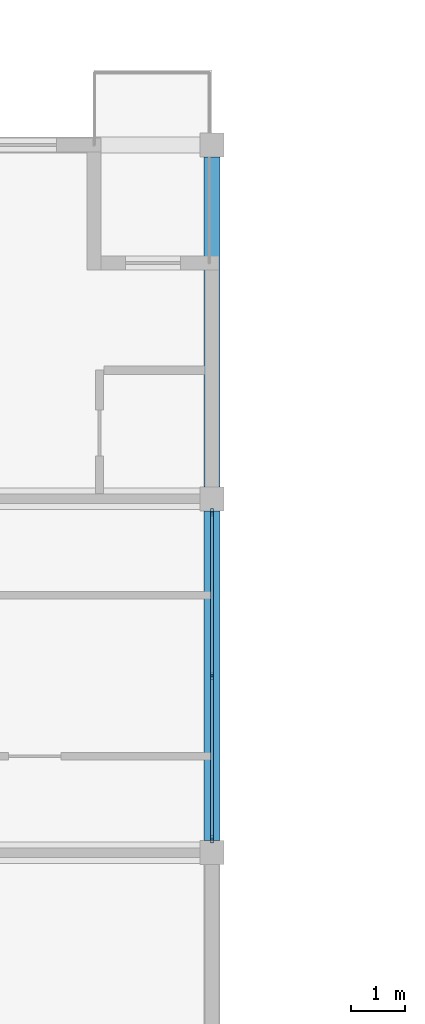
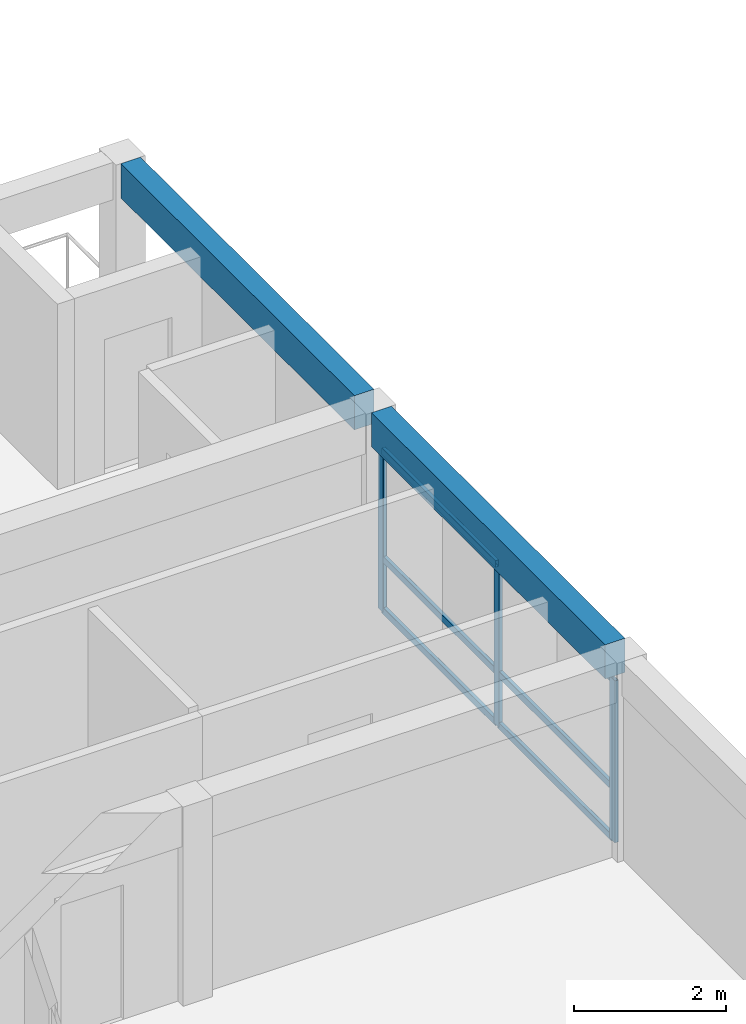
# One storey, part 12 of 34: 9 members, 2 beams, 1 element without a shape of its own.
"""IFC4 building model written with IfcOpenShell, lengths in metres."""

from ifc_helpers import new_model, si_unit, direction, frame, origin, origin_2d, place, context, subcontext, project, spatial, rectangle, hollow_rectangle, extrude, material, material_profile, profile_set, type_object, element, aggregate, save


model = new_model("IFC4")

# Units and contexts
model_context = context("Model", 3, precision=1e-05, world=origin(), true_north=direction((0.0, 1.0)))
body_context = subcontext(model_context, "Body", "Model", "MODEL_VIEW")
ifc_project = project(units=[si_unit("LENGTHUNIT", "METRE"), si_unit("AREAUNIT", "SQUARE_METRE"), si_unit("VOLUMEUNIT", "CUBIC_METRE"), si_unit("PLANEANGLEUNIT", "RADIAN"), si_unit("MASSUNIT", "GRAM", prefix="KILO")], contexts=[model_context])

# Site, building, storey
site_placement = place(None, origin())
site = spatial("IfcSite", under=ifc_project, at=site_placement, CompositionType="ELEMENT")
building_placement = place(site_placement, origin())
building = spatial("IfcBuilding", under=site, at=building_placement, Name="Kernevlak Ridge Housing Community", CompositionType="ELEMENT")
storey_placement = place(building_placement, frame((0.0, 0.0, 40.39990234375)))
storey = spatial("IfcBuildingStorey", under=building, at=storey_placement, Name="L12", CompositionType="ELEMENT", Elevation=40.39990234375)

# Curtain wall, members
ifc_material_1 = material(Name="Aluminium EN AW-6060 anodised and laminated glass", Category="aluminium")
curtain_wall_type = type_object("IfcCurtainWallType", Name="CW-10", PredefinedType="NOTDEFINED", material=ifc_material_1)
curtain_wall_placement = place(storey_placement, origin())
curtain_wall = element("IfcCurtainWall", 1, at=curtain_wall_placement, inside=storey, type_object=curtain_wall_type, Name="Curtain wall CW-10 CW-L12-039", PredefinedType="NOTDEFINED")
ifc_material_2 = material(Name="Aluminium EN AW-6060 anodised", Category="aluminium")
ifc_material_profile_1 = material_profile(ifc_material_2, hollow_rectangle(XDim=0.054931640625, YDim=0.139892578125, WallThickness=0.00390625, InnerFilletRadius=0.001953125, OuterFilletRadius=0.00390625, at=origin_2d()), Name="ALU 55x140x4")
ifc_profile_set_1 = profile_set([ifc_material_profile_1], Name="Aluminium EN AW-6060 anodised")
member_type_1 = type_object("IfcMemberType", Name="MU-01", PredefinedType="MULLION", material=ifc_profile_set_1)
member_1_placement = place(storey_placement, frame((48.60009765625, 82.8525390625, 0.0), z_axis=(0.0, 0.0, 1.0), x_axis=(-1.0, 0.0, 0.0)))
member_1 = element("IfcMember", 2, at=member_1_placement, type_object=member_type_1, Name="CW-10 mullion 1", PredefinedType="MULLION", context=body_context, shape_type="SweptSolid", body=[
    extrude(hollow_rectangle(XDim=0.054931640625, YDim=0.139892578125, WallThickness=0.00390625, InnerFilletRadius=0.001953125, OuterFilletRadius=0.00390625, at=origin_2d()), origin(), (0.0, 0.0, 1.0), 2.60009765625),
])
member_2_placement = place(storey_placement, frame((48.60009765625, 85.89990234375, 0.0), z_axis=(0.0, 0.0, 1.0), x_axis=(-1.0, 0.0, 0.0)))
member_2 = element("IfcMember", 3, at=member_2_placement, type_object=member_type_1, Name="CW-10 mullion 2", PredefinedType="MULLION", context=body_context, shape_type="SweptSolid", body=[
    extrude(hollow_rectangle(XDim=0.054931640625, YDim=0.139892578125, WallThickness=0.00390625, InnerFilletRadius=0.001953125, OuterFilletRadius=0.00390625, at=origin_2d()), origin(), (0.0, 0.0, 1.0), 2.60009765625),
])
member_3_placement = place(storey_placement, frame((48.60009765625, 88.947509765625, 0.0), z_axis=(0.0, 0.0, 1.0), x_axis=(-1.0, 0.0, 0.0)))
member_3 = element("IfcMember", 4, at=member_3_placement, type_object=member_type_1, Name="CW-10 mullion 3", PredefinedType="MULLION", context=body_context, shape_type="SweptSolid", body=[
    extrude(hollow_rectangle(XDim=0.054931640625, YDim=0.139892578125, WallThickness=0.00390625, InnerFilletRadius=0.001953125, OuterFilletRadius=0.00390625, at=origin_2d()), origin(), (0.0, 0.0, 1.0), 2.60009765625),
])

# Beams
ifc_material_3 = material(Name="Concrete C35/45", Category="concrete")
ifc_material_profile_2 = material_profile(ifc_material_3, rectangle(XDim=0.300048828125, YDim=0.550048828125, at=origin_2d()), Name="RC 300x550")
ifc_profile_set_2 = profile_set([ifc_material_profile_2], Name="Concrete C35/45")
beam_type = type_object("IfcBeamType", Name="SP-01", PredefinedType="SPANDREL", material=ifc_profile_set_2)
beam_1_placement = place(storey_placement, frame((48.60009765625, 82.824951171875, 2.925048828125), z_axis=(0.0, 1.0, 0.0), x_axis=(-1.0, 0.0, 0.0)))
element("IfcBeam", 5, at=beam_1_placement, inside=storey, type_object=beam_type, Name="Beam SP-01 L12 393", PredefinedType="SPANDREL", context=body_context, shape_type="SweptSolid", body=[
    extrude(rectangle(XDim=0.300048828125, YDim=0.550048828125, at=origin_2d()), origin(), (0.0, 0.0, 1.0), 6.150146484375),
])
beam_2_placement = place(storey_placement, frame((48.60009765625, 89.425048828125, 2.925048828125), z_axis=(0.0, 1.0, 0.0), x_axis=(-1.0, 0.0, 0.0)))
element("IfcBeam", 6, at=beam_2_placement, inside=storey, type_object=beam_type, Name="Beam SP-01 L12 394", PredefinedType="SPANDREL", context=body_context, shape_type="SweptSolid", body=[
    extrude(rectangle(XDim=0.300048828125, YDim=0.550048828125, at=origin_2d()), origin(), (0.0, 0.0, 1.0), 6.14990234375),
])

# Member
ifc_material_profile_3 = material_profile(ifc_material_2, hollow_rectangle(XDim=0.054931640625, YDim=0.110107421875, WallThickness=0.00390625, InnerFilletRadius=0.001953125, OuterFilletRadius=0.00390625, at=origin_2d()), Name="ALU 55x110x4")
ifc_profile_set_3 = profile_set([ifc_material_profile_3], Name="Aluminium EN AW-6060 anodised")
member_type_2 = type_object("IfcMemberType", Name="TM-01", PredefinedType="USERDEFINED", material=ifc_profile_set_3)
member_4_placement = place(storey_placement, frame((48.60009765625, 82.8798828125, 0.027587890625), z_axis=(0.0, 1.0, 0.0), x_axis=(-1.0, 0.0, 0.0)))
member_4 = element("IfcMember", 7, at=member_4_placement, type_object=member_type_2, Name="CW-10 transom 1.1", ObjectType="TRANSOM", PredefinedType="USERDEFINED", context=body_context, shape_type="SweptSolid", body=[
    extrude(hollow_rectangle(XDim=0.054931640625, YDim=0.110107421875, WallThickness=0.00390625, InnerFilletRadius=0.001953125, OuterFilletRadius=0.00390625, at=origin_2d()), origin(), (0.0, 0.0, 1.0), 2.99267578125),
])

member_5_placement = place(storey_placement, frame((48.60009765625, 82.8798828125, 0.85009765625), z_axis=(0.0, 1.0, 0.0), x_axis=(-1.0, 0.0, 0.0)))
member_5 = element("IfcMember", 8, at=member_5_placement, type_object=member_type_2, Name="CW-10 transom 1.2", ObjectType="TRANSOM", PredefinedType="USERDEFINED", context=body_context, shape_type="SweptSolid", body=[
    extrude(hollow_rectangle(XDim=0.054931640625, YDim=0.110107421875, WallThickness=0.00390625, InnerFilletRadius=0.001953125, OuterFilletRadius=0.00390625, at=origin_2d()), origin(), (0.0, 0.0, 1.0), 2.99267578125),
])

member_6_placement = place(storey_placement, frame((48.60009765625, 82.8798828125, 2.572509765625), z_axis=(0.0, 1.0, 0.0), x_axis=(-1.0, 0.0, 0.0)))
member_6 = element("IfcMember", 9, at=member_6_placement, type_object=member_type_2, Name="CW-10 transom 1.3", ObjectType="TRANSOM", PredefinedType="USERDEFINED", context=body_context, shape_type="SweptSolid", body=[
    extrude(hollow_rectangle(XDim=0.054931640625, YDim=0.110107421875, WallThickness=0.00390625, InnerFilletRadius=0.001953125, OuterFilletRadius=0.00390625, at=origin_2d()), origin(), (0.0, 0.0, 1.0), 2.99267578125),
])

member_7_placement = place(storey_placement, frame((48.60009765625, 85.927490234375, 0.027587890625), z_axis=(0.0, 1.0, 0.0), x_axis=(-1.0, 0.0, 0.0)))
member_7 = element("IfcMember", 10, at=member_7_placement, type_object=member_type_2, Name="CW-10 transom 2.1", ObjectType="TRANSOM", PredefinedType="USERDEFINED", context=body_context, shape_type="SweptSolid", body=[
    extrude(hollow_rectangle(XDim=0.054931640625, YDim=0.110107421875, WallThickness=0.00390625, InnerFilletRadius=0.001953125, OuterFilletRadius=0.00390625, at=origin_2d()), origin(), (0.0, 0.0, 1.0), 2.992431640625),
])

member_8_placement = place(storey_placement, frame((48.60009765625, 85.927490234375, 0.85009765625), z_axis=(0.0, 1.0, 0.0), x_axis=(-1.0, 0.0, 0.0)))
member_8 = element("IfcMember", 11, at=member_8_placement, type_object=member_type_2, Name="CW-10 transom 2.2", ObjectType="TRANSOM", PredefinedType="USERDEFINED", context=body_context, shape_type="SweptSolid", body=[
    extrude(hollow_rectangle(XDim=0.054931640625, YDim=0.110107421875, WallThickness=0.00390625, InnerFilletRadius=0.001953125, OuterFilletRadius=0.00390625, at=origin_2d()), origin(), (0.0, 0.0, 1.0), 2.992431640625),
])

member_9_placement = place(storey_placement, frame((48.60009765625, 85.927490234375, 2.572509765625), z_axis=(0.0, 1.0, 0.0), x_axis=(-1.0, 0.0, 0.0)))
member_9 = element("IfcMember", 12, at=member_9_placement, type_object=member_type_2, Name="CW-10 transom 2.3", ObjectType="TRANSOM", PredefinedType="USERDEFINED", context=body_context, shape_type="SweptSolid", body=[
    extrude(hollow_rectangle(XDim=0.054931640625, YDim=0.110107421875, WallThickness=0.00390625, InnerFilletRadius=0.001953125, OuterFilletRadius=0.00390625, at=origin_2d()), origin(), (0.0, 0.0, 1.0), 2.992431640625),
])

aggregate(curtain_wall, [member_1, member_2, member_3, member_4, member_5, member_6, member_7, member_8, member_9])

save(model, "model.ifc")
